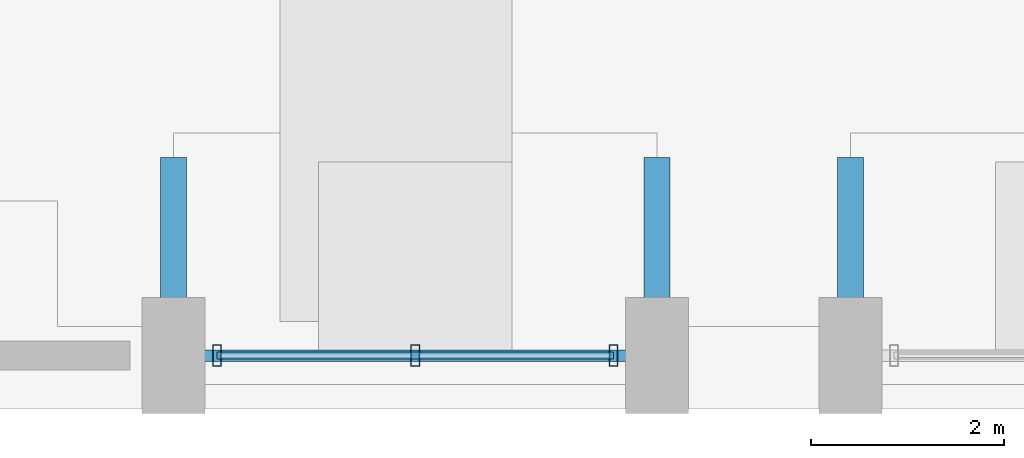
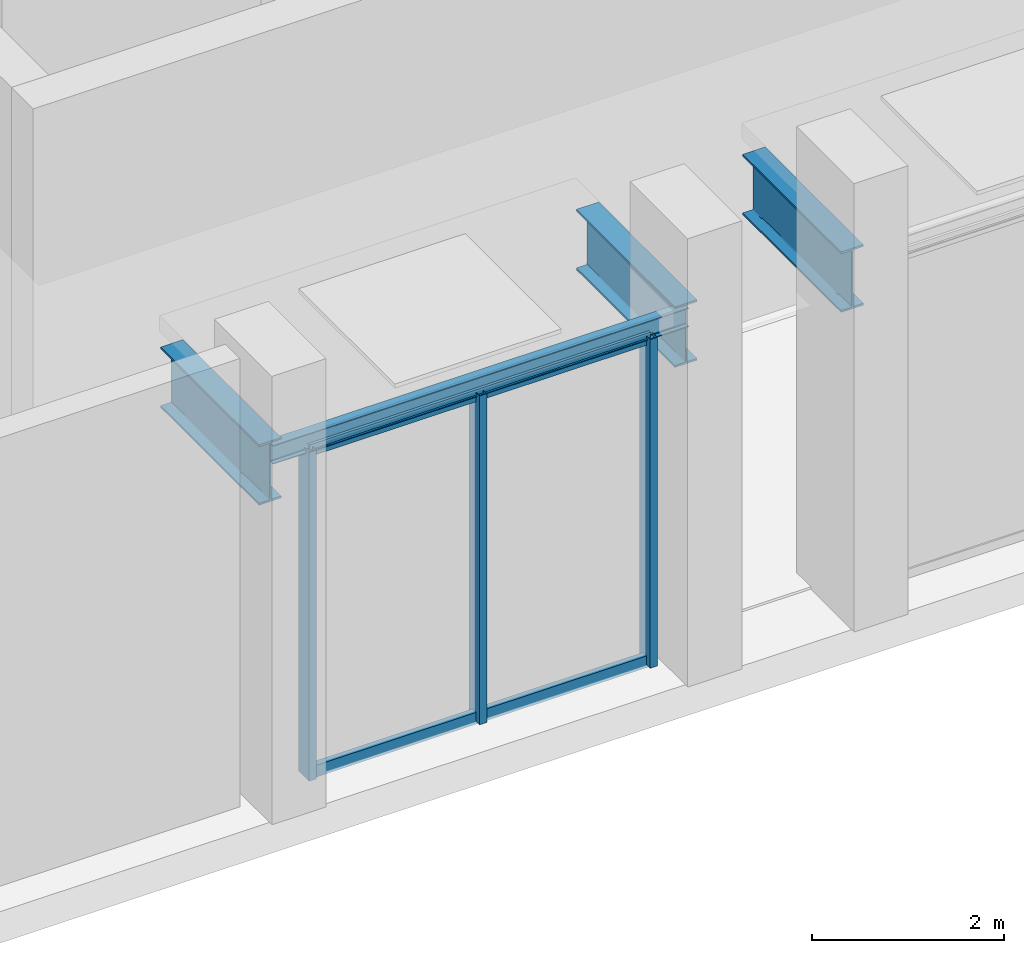
# One storey, part 6 of 36: 5 members, 4 beams, 1 element without a shape of its own.
"""IFC4 building model written with IfcOpenShell, lengths in metres."""

from ifc_helpers import new_model, si_unit, direction, frame, origin, origin_2d, place, context, subcontext, project, spatial, hollow_rectangle, i_section, extrude, material, layer, layer_set, material_profile, profile_set, type_object, element, aggregate, save


model = new_model("IFC4")

# Units and contexts
model_context = context("Model", 3, precision=1e-05, world=origin(), true_north=direction((0.0, 1.0)))
body_context = subcontext(model_context, "Body", "Model", "MODEL_VIEW")
ifc_project = project(units=[si_unit("LENGTHUNIT", "METRE"), si_unit("AREAUNIT", "SQUARE_METRE"), si_unit("VOLUMEUNIT", "CUBIC_METRE"), si_unit("PLANEANGLEUNIT", "RADIAN"), si_unit("MASSUNIT", "GRAM", prefix="KILO")], contexts=[model_context])

# Site, building, storey
site_placement = place(None, origin())
site = spatial("IfcSite", under=ifc_project, at=site_placement, CompositionType="ELEMENT")
building_placement = place(site_placement, origin())
building = spatial("IfcBuilding", under=site, at=building_placement, Name="Ndaravel Arena Tower", CompositionType="ELEMENT")
storey_placement = place(building_placement, origin())
storey = spatial("IfcBuildingStorey", under=building, at=storey_placement, Name="L00", CompositionType="ELEMENT", Elevation=0.0)

# Beams
ifc_material_1 = material(Name="Steel S355", Category="steel")
ifc_material_profile_1 = material_profile(ifc_material_1, i_section(OverallWidth=0.1201171875, OverallDepth=0.239990234375, WebThickness=0.006103515625, FlangeThickness=0.009765625, FilletRadius=0.014892578125, at=origin_2d()), Name="IPE 240")
ifc_profile_set_1 = profile_set([ifc_material_profile_1], Name="Steel S355")
beam_type_1 = type_object("IfcBeamType", Name="BM-LINTEL-IPE240", PredefinedType="LINTEL", material=ifc_profile_set_1)
beam_placement = place(storey_placement, frame((26.5, 0.550048828125, 4.260009765625), z_axis=(1.0, 0.0, 0.0), x_axis=(0.0, 1.0, 0.0)))
element("IfcBeam", 1, at=beam_placement, inside=storey, type_object=beam_type_1, Name="Portal Lintel Beam LN-01", PredefinedType="LINTEL", context=body_context, shape_type="SweptSolid", body=[
    extrude(i_section(OverallWidth=0.1201171875, OverallDepth=0.239990234375, WebThickness=0.006103515625, FlangeThickness=0.009765625, FilletRadius=0.014892578125, at=origin_2d()), origin(), (0.0, 0.0, 1.0), 5.0),
])
ifc_material_2 = material(Name="Steel S355", Category="steel")
ifc_material_profile_2 = material_profile(ifc_material_2, i_section(OverallWidth=0.26806640625, OverallDepth=0.769775390625, WebThickness=0.015625, FlangeThickness=0.025390625, FilletRadius=0.0166015625, at=origin_2d()), Name="UB 762x267x197")
ifc_profile_set_2 = profile_set([ifc_material_profile_2], Name="Steel S355")
beam_type_2 = type_object("IfcBeamType", Name="BM-POD-UB762", PredefinedType="BEAM", material=ifc_profile_set_2)
for number, where, z_axis, x_axis, name in (
    (2, (26.5, 0.550048828125, 4.01513671875), (0.0, 1.0, 0.0), (-1.0, 0.0, 0.0), "L00 Entrance Canopy Cantilever Arm 01-1"),
    (3, (31.5, 0.550048828125, 4.01513671875), (0.0, 1.0, 0.0), (-1.0, 0.0, 0.0), "L00 Entrance Canopy Cantilever Arm 01-2"),
    (4, (33.5, 0.550048828125, 4.01513671875), (0.0, 1.0, 0.0), (-1.0, 0.0, 0.0), "L00 Entrance Canopy Cantilever Arm 02-1"),
):
    element("IfcBeam", number, at=place(storey_placement, frame(where, z_axis=z_axis, x_axis=x_axis)), inside=storey, type_object=beam_type_2, Name=name, PredefinedType="BEAM", context=body_context, shape_type="SweptSolid", body=[
        extrude(i_section(OverallWidth=0.26806640625, OverallDepth=0.769775390625, WebThickness=0.015625, FlangeThickness=0.025390625, FilletRadius=0.0166015625, at=origin_2d()), origin(), (0.0, 0.0, 1.0), 2.050048828125),
    ])

# Curtain wall, members
ifc_material_3 = material(Name="Aluminium", Category="aluminium")
ifc_layer = layer(ifc_material_3, 0.179931640625)
ifc_layer_set = layer_set([ifc_layer], Name="Aluminium")
curtain_wall_type = type_object("IfcCurtainWallType", Name="CW-SYS-05", PredefinedType="NOTDEFINED", material=ifc_layer_set)
curtain_wall_placement = place(storey_placement, origin())
curtain_wall = element("IfcCurtainWall", 5, at=curtain_wall_placement, inside=storey, type_object=curtain_wall_type, Name="L00 South Foyer Storefront CW-L00-SF-1", PredefinedType="NOTDEFINED")
ifc_material_4 = material(Name="Aluminium", Category="aluminium")
ifc_material_profile_3 = material_profile(ifc_material_4, hollow_rectangle(XDim=0.090087890625, YDim=0.219970703125, WallThickness=0.0048828125, at=origin_2d()), Name="CW MULLION 90x220x5")
ifc_profile_set_3 = profile_set([ifc_material_profile_3], Name="Aluminium")
member_type_1 = type_object("IfcMemberType", Name="MEM-CW-MUL220", PredefinedType="MULLION", material=ifc_profile_set_3)
member_1_placement = place(storey_placement, frame((26.949951171875, 0.550048828125, 0.0), z_axis=(0.0, 0.0, 1.0), x_axis=(1.0, 0.0, 0.0)))
member_1 = element("IfcMember", 6, at=member_1_placement, type_object=member_type_1, Name="CW-L00-SF-1 Mullion 00", PredefinedType="MULLION", context=body_context, shape_type="SweptSolid", body=[
    extrude(hollow_rectangle(XDim=0.090087890625, YDim=0.219970703125, WallThickness=0.0048828125, at=origin_2d()), origin(), (0.0, 0.0, 1.0), 4.179931640625),
])
member_2_placement = place(storey_placement, frame((29.0, 0.550048828125, 0.0), z_axis=(0.0, 0.0, 1.0), x_axis=(1.0, 0.0, 0.0)))
member_2 = element("IfcMember", 7, at=member_2_placement, type_object=member_type_1, Name="CW-L00-SF-1 Mullion 01", PredefinedType="MULLION", context=body_context, shape_type="SweptSolid", body=[
    extrude(hollow_rectangle(XDim=0.090087890625, YDim=0.219970703125, WallThickness=0.0048828125, at=origin_2d()), origin(), (0.0, 0.0, 1.0), 4.179931640625),
])
member_3_placement = place(storey_placement, frame((31.050048828125, 0.550048828125, 0.0), z_axis=(0.0, 0.0, 1.0), x_axis=(1.0, 0.0, 0.0)))
member_3 = element("IfcMember", 8, at=member_3_placement, type_object=member_type_1, Name="CW-L00-SF-1 Mullion 02", PredefinedType="MULLION", context=body_context, shape_type="SweptSolid", body=[
    extrude(hollow_rectangle(XDim=0.090087890625, YDim=0.219970703125, WallThickness=0.0048828125, at=origin_2d()), origin(), (0.0, 0.0, 1.0), 4.179931640625),
])
ifc_material_5 = material(Name="Aluminium", Category="aluminium")
ifc_material_profile_4 = material_profile(ifc_material_5, hollow_rectangle(XDim=0.074951171875, YDim=0.14990234375, WallThickness=0.00390625, at=origin_2d()), Name="CW TRANSOM 75x150x4")
ifc_profile_set_4 = profile_set([ifc_material_profile_4], Name="Aluminium")
member_type_2 = type_object("IfcMemberType", Name="MEM-CW-TRN150", PredefinedType="USERDEFINED", material=ifc_profile_set_4)
member_4_placement = place(storey_placement, frame((26.949951171875, 0.550048828125, 0.0400390625), z_axis=(1.0, 0.0, 0.0), x_axis=(0.0, 1.0, 0.0)))
member_4 = element("IfcMember", 9, at=member_4_placement, type_object=member_type_2, Name="CW-L00-SF-1 Transom 01", ObjectType="TRANSOM", PredefinedType="USERDEFINED", context=body_context, shape_type="SweptSolid", body=[
    extrude(hollow_rectangle(XDim=0.074951171875, YDim=0.14990234375, WallThickness=0.00390625, at=origin_2d()), origin(), (0.0, 0.0, 1.0), 4.10009765625),
])
member_5_placement = place(storey_placement, frame((26.949951171875, 0.550048828125, 4.139892578125), z_axis=(1.0, 0.0, 0.0), x_axis=(0.0, 1.0, 0.0)))
member_5 = element("IfcMember", 10, at=member_5_placement, type_object=member_type_2, Name="CW-L00-SF-1 Transom 02", ObjectType="TRANSOM", PredefinedType="USERDEFINED", context=body_context, shape_type="SweptSolid", body=[
    extrude(hollow_rectangle(XDim=0.074951171875, YDim=0.14990234375, WallThickness=0.00390625, at=origin_2d()), origin(), (0.0, 0.0, 1.0), 4.10009765625),
])
aggregate(curtain_wall, [member_1, member_2, member_3, member_4, member_5])

save(model, "model.ifc")
